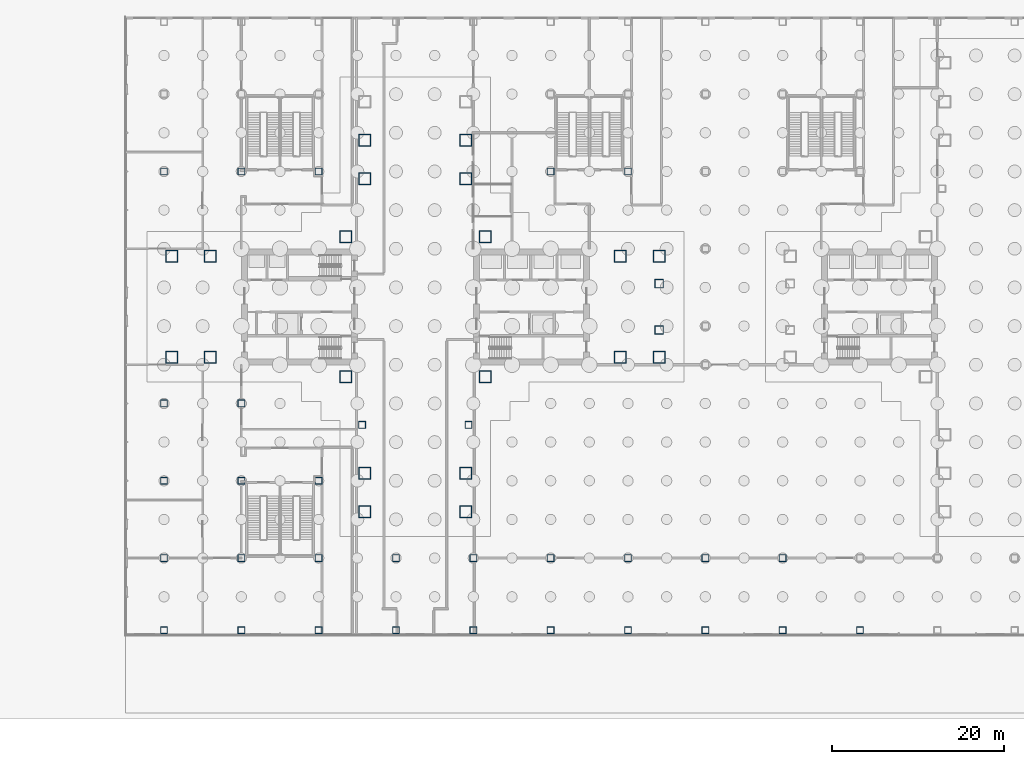
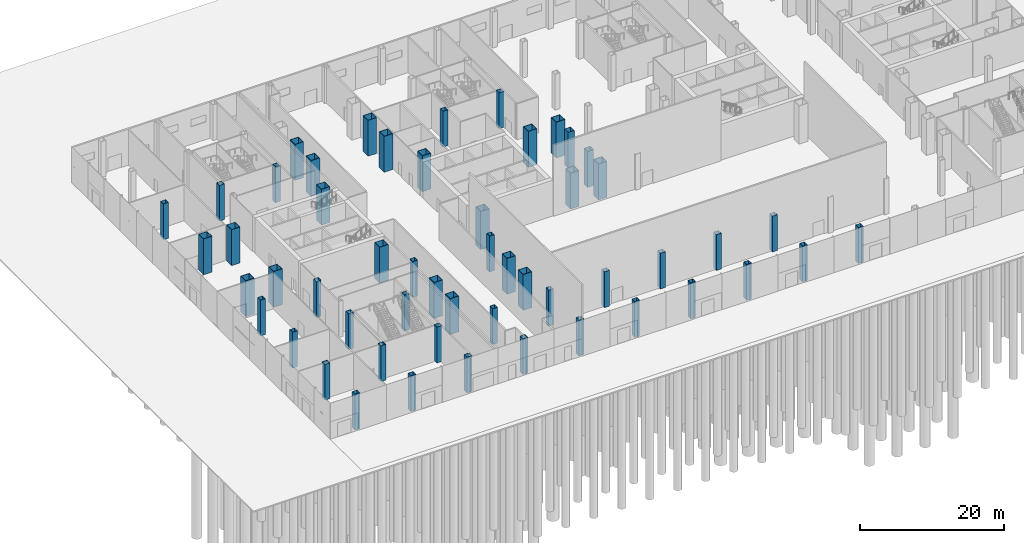
# One storey, part 3 of 37: 53 columns.
"""IFC4 building model written with IfcOpenShell, lengths in metres."""

from ifc_helpers import new_model, si_unit, direction, frame, origin, origin_2d, place, context, subcontext, project, spatial, hollow_rectangle, extrude, material, material_profile, profile_set, type_object, element, save


model = new_model("IFC4")

# Units and contexts
model_context = context("Model", 3, precision=1e-05, world=origin(), true_north=direction((0.0, 1.0)))
body_context = subcontext(model_context, "Body", "Model", "MODEL_VIEW")
ifc_project = project(units=[si_unit("LENGTHUNIT", "METRE"), si_unit("AREAUNIT", "SQUARE_METRE"), si_unit("VOLUMEUNIT", "CUBIC_METRE"), si_unit("PLANEANGLEUNIT", "RADIAN"), si_unit("MASSUNIT", "GRAM", prefix="KILO")], contexts=[model_context])

# Site, building, storey
site_placement = place(None, origin())
site = spatial("IfcSite", under=ifc_project, at=site_placement, CompositionType="ELEMENT")
building_placement = place(site_placement, origin())
building = spatial("IfcBuilding", under=site, at=building_placement, Name="Shamsa Quay Exchange Towers", CompositionType="ELEMENT")
storey_placement = place(building_placement, origin())
storey = spatial("IfcBuildingStorey", under=building, at=storey_placement, Name="L00", CompositionType="ELEMENT", Elevation=0.0)

# Columns
ifc_material_1 = material(Name="Concrete-filled steel tube S355 / C80/95", Category="concrete")
ifc_material_profile_1 = material_profile(ifc_material_1, hollow_rectangle(XDim=1.39990234375, YDim=1.39990234375, WallThickness=0.06005859375, at=origin_2d()), Name="CFT 1400x1400x60")
ifc_profile_set_1 = profile_set([ifc_material_profile_1], Name="Concrete-filled steel tube S355 / C80/95")
column_type_1 = type_object("IfcColumnType", Name="Column CFT 1400x1400x60", PredefinedType="COLUMN", material=ifc_profile_set_1)
column_1_placement = place(storey_placement, frame((-25.625, 8.125, 0.0)))
element("IfcColumn", 1, at=column_1_placement, inside=storey, type_object=column_type_1, Name="Mega column T1-CM01", PredefinedType="COLUMN", context=body_context, shape_type="SweptSolid", body=[
    extrude(hollow_rectangle(XDim=1.39990234375, YDim=1.39990234375, WallThickness=0.06005859375, at=origin_2d()), origin(), (0.0, 0.0, 1.0), 6.10009765625),
])
column_2_placement = place(storey_placement, frame((-25.625, -8.125, 0.0)))
element("IfcColumn", 2, at=column_2_placement, inside=storey, type_object=column_type_1, Name="Mega column T1-CM02", PredefinedType="COLUMN", context=body_context, shape_type="SweptSolid", body=[
    extrude(hollow_rectangle(XDim=1.39990234375, YDim=1.39990234375, WallThickness=0.06005859375, at=origin_2d()), origin(), (0.0, 0.0, 1.0), 6.5),
])
for number, where, name in (
    (3, (-41.875, 8.125, 0.0), "Mega column T1-CM03"),
    (4, (-41.875, -8.125, 0.0), "Mega column T1-CM04"),
    (5, (-9.875, -5.875, 0.0), "Mega column T1-CM05"),
    (6, (-5.375, -5.875, 0.0), "Mega column T1-CM06"),
    (7, (-9.875, 5.875, 0.0), "Mega column T1-CM07"),
    (8, (-5.375, 5.875, 0.0), "Mega column T1-CM08"),
    (9, (-57.625, -5.875, 0.0), "Mega column T1-CM09"),
    (10, (-62.125, -5.875, 0.0), "Mega column T1-CM10"),
    (11, (-57.625, 5.875, 0.0), "Mega column T1-CM11"),
    (12, (-62.125, 5.875, 0.0), "Mega column T1-CM12"),
    (13, (-39.625, 14.875, 0.0), "Mega column T1-CM13"),
    (14, (-39.625, 19.375, 0.0), "Mega column T1-CM14"),
    (15, (-27.875, 14.875, 0.0), "Mega column T1-CM16"),
    (16, (-27.875, 19.375, 0.0), "Mega column T1-CM17"),
    (17, (-39.625, -19.375, 0.0), "Mega column T1-CM20"),
    (18, (-39.625, -23.875, 0.0), "Mega column T1-CM21"),
    (19, (-27.875, -19.375, 0.0), "Mega column T1-CM23"),
    (20, (-27.875, -23.875, 0.0), "Mega column T1-CM24"),
):
    element("IfcColumn", number, at=place(storey_placement, frame(where)), inside=storey, type_object=column_type_1, Name=name, PredefinedType="COLUMN", context=body_context, shape_type="SweptSolid", body=[
        extrude(hollow_rectangle(XDim=1.39990234375, YDim=1.39990234375, WallThickness=0.06005859375, at=origin_2d()), origin(), (0.0, 0.0, 1.0), 6.10009765625),
    ])
ifc_material_2 = material(Name="Concrete-filled steel tube S355 / C60/75", Category="concrete")
ifc_material_profile_2 = material_profile(ifc_material_2, hollow_rectangle(XDim=0.800048828125, YDim=0.800048828125, WallThickness=0.030029296875, at=origin_2d()), Name="CFT 800x800x30")
ifc_profile_set_2 = profile_set([ifc_material_profile_2], Name="Concrete-filled steel tube S355 / C60/75")
column_type_2 = type_object("IfcColumnType", Name="Column CFT 800x800x30", PredefinedType="COLUMN", material=ifc_profile_set_2)
for number, where, name in (
    (21, (-39.9375, -13.75, 0.0), "Perimeter column T1-CP19"),
    (22, (-27.5625, -13.75, 0.0), "Perimeter column T1-CP22"),
    (23, (-63.0, -37.64990234375, 0.0), "Perimeter column PD-C-0630-0382"),
    (24, (-63.0, -29.25, 0.0), "Perimeter column PD-C-0630-0292"),
    (25, (-63.0, -20.25, 0.0), "Perimeter column PD-C-0630-0202"),
    (26, (-63.0, -11.25, 0.0), "Perimeter column PD-C-0630-0112"),
    (27, (-63.0, 15.75, 0.0), "Perimeter column PD-C-0630+0158"),
    (28, (-54.0, -37.64990234375, 0.0), "Perimeter column PD-C-0540-0382"),
    (29, (-54.0, -29.25, 0.0), "Perimeter column PD-C-0540-0292"),
    (30, (-54.0, -20.25, 0.0), "Perimeter column PD-C-0540-0202"),
    (31, (-54.0, -11.25, 0.0), "Perimeter column PD-C-0540-0112"),
    (32, (-54.0, 15.75, 0.0), "Perimeter column PD-C-0540+0158"),
    (33, (-45.0, -37.64990234375, 0.0), "Perimeter column PD-C-0450-0382"),
    (34, (-45.0, -29.25, 0.0), "Perimeter column PD-C-0450-0292"),
    (35, (-45.0, -20.25, 0.0), "Perimeter column PD-C-0450-0202"),
    (36, (-45.0, 15.75, 0.0), "Perimeter column PD-C-0450+0158"),
    (37, (-36.0, -37.64990234375, 0.0), "Perimeter column PD-C-0360-0382"),
    (38, (-36.0, -29.25, 0.0), "Perimeter column PD-C-0360-0292"),
    (39, (-27.0, -37.64990234375, 0.0), "Perimeter column PD-C-0270-0382"),
    (40, (-27.0, -29.25, 0.0), "Perimeter column PD-C-0270-0292"),
    (41, (-18.0, -37.64990234375, 0.0), "Perimeter column PD-C-0180-0382"),
    (42, (-18.0, -29.25, 0.0), "Perimeter column PD-C-0180-0292"),
    (43, (-18.0, 15.75, 0.0), "Perimeter column PD-C-0180+0158"),
    (44, (-9.0, -37.64990234375, 0.0), "Perimeter column PD-C-0090-0382"),
    (45, (-9.0, -29.25, 0.0), "Perimeter column PD-C-0090-0292"),
    (46, (-9.0, 15.75, 0.0), "Perimeter column PD-C-0090+0158"),
    (47, (0.0, -37.64990234375, 0.0), "Perimeter column PD-C+0000-0382"),
    (48, (0.0, -29.25, 0.0), "Perimeter column PD-C+0000-0292"),
    (49, (9.0, -37.64990234375, 0.0), "Perimeter column PD-C+0090-0382"),
    (50, (9.0, -29.25, 0.0), "Perimeter column PD-C+0090-0292"),
    (51, (18.0, -37.64990234375, 0.0), "Perimeter column PD-C+0180-0382"),
):
    element("IfcColumn", number, at=place(storey_placement, frame(where)), inside=storey, type_object=column_type_2, Name=name, PredefinedType="COLUMN", context=body_context, shape_type="SweptSolid", body=[
        extrude(hollow_rectangle(XDim=0.800048828125, YDim=0.800048828125, WallThickness=0.030029296875, at=origin_2d()), origin(), (0.0, 0.0, 1.0), 6.10009765625),
    ])
ifc_material_3 = material(Name="Concrete-filled steel tube S355 / C70/85", Category="concrete")
ifc_material_profile_3 = material_profile(ifc_material_3, hollow_rectangle(XDim=1.0, YDim=1.0, WallThickness=0.0400390625, at=origin_2d()), Name="CFT 1000x1000x40")
ifc_profile_set_3 = profile_set([ifc_material_profile_3], Name="Concrete-filled steel tube S355 / C70/85")
column_type_3 = type_object("IfcColumnType", Name="Landing column CFT 1000x1000x40", PredefinedType="COLUMN", material=ifc_profile_set_3)
for number, where, name in (
    (52, (-5.375, -2.699951171875, 0.0), "Landing column T1 S"),
    (53, (-5.375, 2.699951171875, 0.0), "Landing column T1 N"),
):
    element("IfcColumn", number, at=place(storey_placement, frame(where)), inside=storey, type_object=column_type_3, Name=name, PredefinedType="COLUMN", context=body_context, shape_type="SweptSolid", body=[
        extrude(hollow_rectangle(XDim=1.0, YDim=1.0, WallThickness=0.0400390625, at=origin_2d()), origin(), (0.0, 0.0, 1.0), 6.10009765625),
    ])

save(model, "model.ifc")
